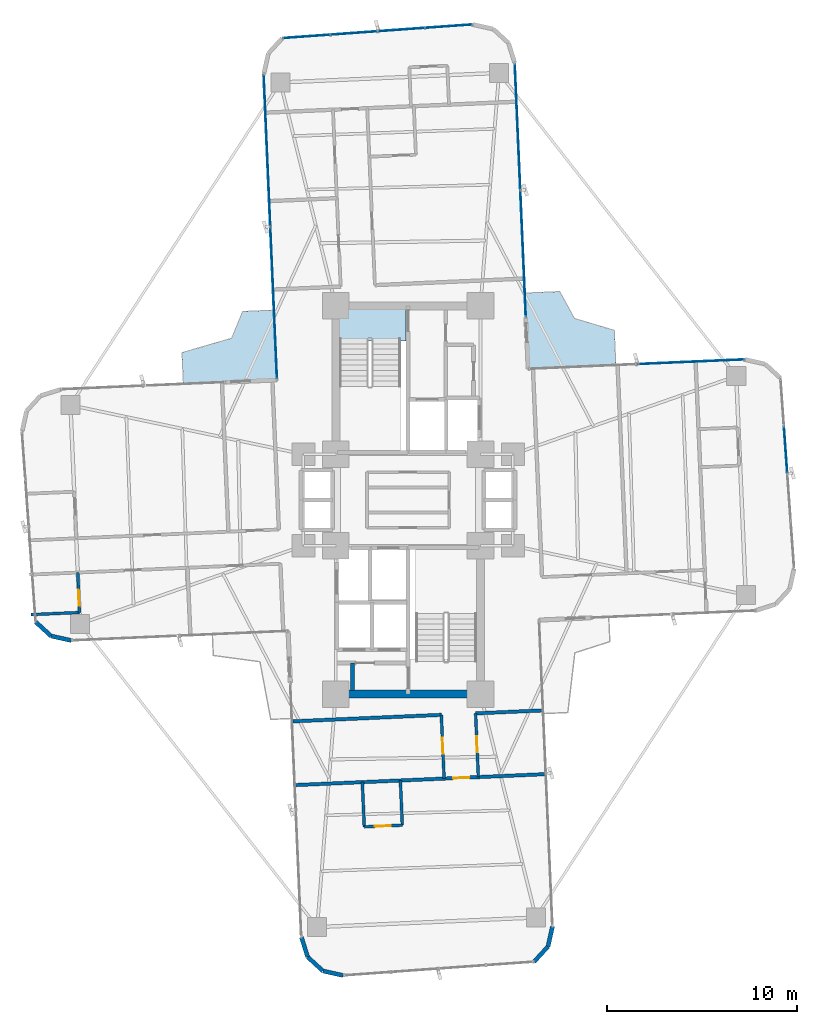
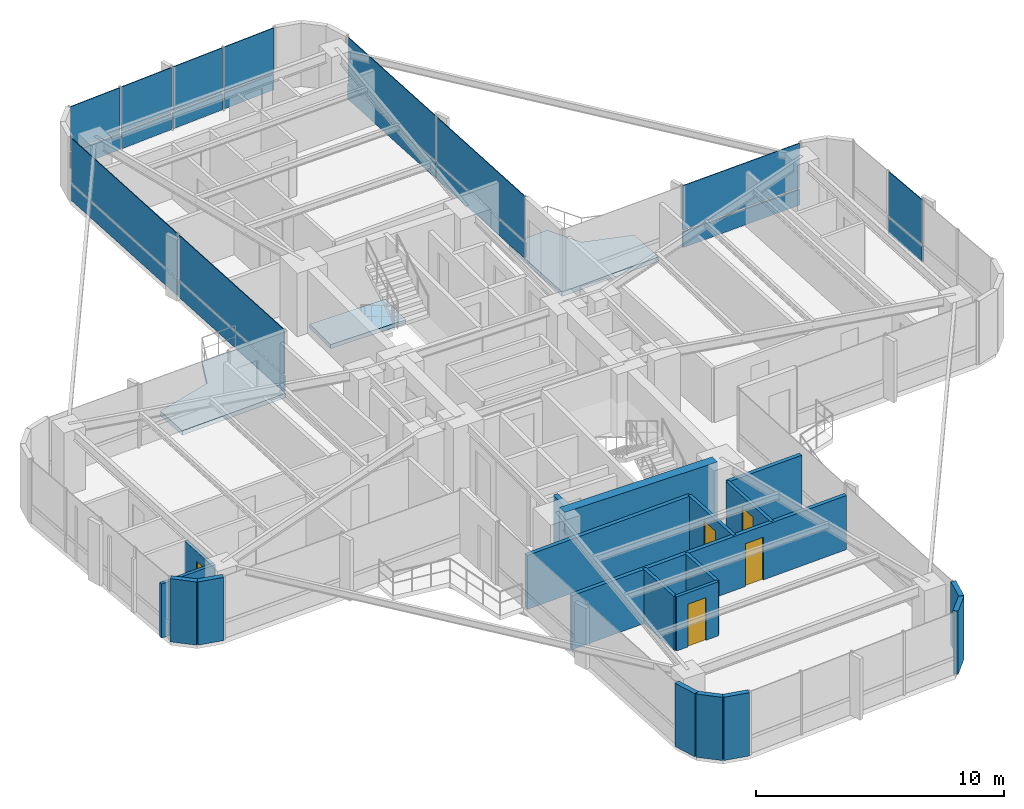
# One storey, part 22 of 26: 20 plates, 19 walls, 5 doors, 3 slabs, 5 openings, 5 elements without a shape of their own.
"""IFC4 building model written with IfcOpenShell, lengths in metres."""

from ifc_helpers import new_model, si_unit, direction, frame, frame_2d, origin, origin_2d, place, context, subcontext, project, spatial, polyline, rectangle, outline, extrude, source, transform, mapped, material, layer, layer_set, type_object, element, fill, aggregate, save


model = new_model("IFC4")

# Units and contexts
model_context = context("Model", 3, precision=1e-05, world=origin(), true_north=direction((0.0, 1.0)))
body_context = subcontext(model_context, "Body", "Model", "MODEL_VIEW")
ifc_project = project(units=[si_unit("LENGTHUNIT", "METRE"), si_unit("AREAUNIT", "SQUARE_METRE"), si_unit("VOLUMEUNIT", "CUBIC_METRE"), si_unit("PLANEANGLEUNIT", "RADIAN"), si_unit("MASSUNIT", "GRAM", prefix="KILO")], contexts=[model_context])

# Site, building, storey
site_placement = place(None, origin())
site = spatial("IfcSite", under=ifc_project, at=site_placement, CompositionType="ELEMENT")
building_placement = place(site_placement, origin())
building = spatial("IfcBuilding", under=site, at=building_placement, Name="Sahyath Konkavel Grand Hotel", CompositionType="ELEMENT")
storey_placement = place(building_placement, frame((0.0, 0.0, 124.85009765625)))
storey = spatial("IfcBuildingStorey", under=building, at=storey_placement, Name="L34", CompositionType="ELEMENT", Elevation=124.85009765625)

# Slabs
ifc_material_1 = material(Name="Concrete C40/50", Category="concrete")
ifc_layer_1 = layer(ifc_material_1, 0.219970703125)
ifc_layer_set_1 = layer_set([ifc_layer_1], Name="Concrete C40/50")
slab_type_1 = type_object("IfcSlabType", Name="SLB-BALCONY-220", PredefinedType="FLOOR", material=ifc_layer_set_1)
slab_1_placement = place(storey_placement, frame((0.0, 0.0, -0.22021484375)))
element("IfcSlab", 1, at=slab_1_placement, inside=storey, type_object=slab_type_1, Name="L34 Winter-Garden Balcony NE", PredefinedType="FLOOR", context=body_context, shape_type="SweptSolid", body=[
    extrude(outline(polyline([(6.305908203125, 6.881591796875), (10.909423828125, 7.08251953125), (10.82958984375, 8.91259765625), (8.736328125, 9.5341796875), (7.961669921875, 10.94970703125), (6.131591796875, 10.869873046875), (6.305908203125, 6.881591796875)])), origin(), (0.0, 0.0, 1.0), 0.22021484375),
])
slab_2_placement = place(storey_placement, frame((0.0, 0.0, -0.22021484375)))
element("IfcSlab", 2, at=slab_2_placement, inside=storey, type_object=slab_type_1, Name="L34 Winter-Garden Balcony NW", PredefinedType="FLOOR", context=body_context, shape_type="SweptSolid", body=[
    extrude(outline(polyline([(-6.881591796875, 6.305908203125), (-7.041748046875, 9.973388671875), (-8.6904296875, 9.9013671875), (-9.271484375, 8.49560546875), (-11.8779296875, 7.739501953125), (-11.805908203125, 6.0908203125), (-6.881591796875, 6.305908203125)])), origin(), (0.0, 0.0, 1.0), 0.22021484375),
])
ifc_layer_2 = layer(ifc_material_1, 0.199951171875)
ifc_layer_set_2 = layer_set([ifc_layer_2], Name="Concrete C40/50")
slab_type_2 = type_object("IfcSlabType", Name="SLB-STAIR-LND", PredefinedType="LANDING", material=ifc_layer_set_2)
slab_3_placement = place(storey_placement, frame((0.0, 0.0, -0.2001953125)))
element("IfcSlab", 3, at=slab_3_placement, inside=storey, type_object=slab_type_2, Name="L34 Stair ST-1 Floor Landing Slab", PredefinedType="LANDING", context=body_context, shape_type="SweptSolid", body=[
    extrude(outline(polyline([(-3.6201171875, 8.35009765625), (-0.10009765625, 8.35009765625), (-0.10009765625, 10.02001953125), (-3.6201171875, 10.02001953125), (-3.6201171875, 8.35009765625)])), origin(), (0.0, 0.0, 1.0), 0.2001953125),
])

# Curtain wall, plate
ifc_material_2 = material(Name="Anodised Bronze Aluminium & Low-E Glazing", Category="aluminium")
curtain_wall_type = type_object("IfcCurtainWallType", Name="CW-ZONE2", PredefinedType="NOTDEFINED", material=ifc_material_2)
curtain_wall_1_placement = place(storey_placement, origin())
curtain_wall_1 = element("IfcCurtainWall", 4, at=curtain_wall_1_placement, inside=storey, type_object=curtain_wall_type, Name="L34 Unitised Curtain Wall F4", PredefinedType="NOTDEFINED")
ifc_material_3 = material(Name="Warm Buff Sandstone Cladding", Category="masonry")
ifc_layer_3 = layer(ifc_material_3, 0.074951171875)
ifc_layer_set_3 = layer_set([ifc_layer_3], Name="Warm Buff Sandstone Cladding")
plate_type_1 = type_object("IfcPlateType", Name="PNL-SPANDREL-STONE", PredefinedType="SHEET", material=ifc_layer_set_3)
shared_shape_1 = source(origin(), body_context, "Body", "SweptSolid", [
    extrude(rectangle(XDim=2.41357421875, YDim=0.074951171875, at=origin_2d()), origin(), (0.0, 0.0, 1.0), 0.77001953125),
])
plate_1_placement = place(storey_placement, frame((19.828369140625, 2.638671875, 0.039794921875), z_axis=(0.0, 0.0, 1.0), x_axis=(-0.071567078661, 0.997435789037, 0.0)))
plate_1 = element("IfcPlate", 5, at=plate_1_placement, type_object=plate_type_1, Name="L34 Sandstone Relief Spandrel Panel F4-2", PredefinedType="SHEET", context=body_context, shape_type="MappedRepresentation", body=[
    mapped(shared_shape_1, transform((0.0, 0.0, 0.0), scale=1.0)),
])

# Curtain wall, plates
curtain_wall_2_placement = place(storey_placement, origin())
curtain_wall_2 = element("IfcCurtainWall", 6, at=curtain_wall_2_placement, inside=storey, type_object=curtain_wall_type, Name="L34 Unitised Curtain Wall F12", PredefinedType="NOTDEFINED")
plate_2_placement = place(storey_placement, frame((2.130615234375, 24.880615234375, 0.039794921875), z_axis=(0.0, 0.0, 1.0), x_axis=(-0.997435789037, -0.071567078661, 0.0)))
plate_2 = element("IfcPlate", 7, at=plate_2_placement, type_object=plate_type_1, Name="L34 Sandstone Relief Spandrel Panel F12-0", PredefinedType="SHEET", context=body_context, shape_type="MappedRepresentation", body=[
    mapped(shared_shape_1, transform((0.0, 0.0, 0.0), scale=1.0)),
])
plate_3_placement = place(storey_placement, frame((-0.356689453125, 24.7021484375, 0.039794921875), z_axis=(0.0, 0.0, 1.0), x_axis=(-0.997435789037, -0.071567078661, 0.0)))
plate_3 = element("IfcPlate", 8, at=plate_3_placement, type_object=plate_type_1, Name="L34 Sandstone Relief Spandrel Panel F12-1", PredefinedType="SHEET", context=body_context, shape_type="MappedRepresentation", body=[
    mapped(shared_shape_1, transform((0.0, 0.0, 0.0), scale=1.0)),
])
plate_4_placement = place(storey_placement, frame((-2.84375, 24.523681640625, 0.039794921875), z_axis=(0.0, 0.0, 1.0), x_axis=(-0.997435789037, -0.071567078661, 0.0)))
plate_4 = element("IfcPlate", 9, at=plate_4_placement, type_object=plate_type_1, Name="L34 Sandstone Relief Spandrel Panel F12-2", PredefinedType="SHEET", context=body_context, shape_type="MappedRepresentation", body=[
    mapped(shared_shape_1, transform((0.0, 0.0, 0.0), scale=1.0)),
])
plate_5_placement = place(storey_placement, frame((-5.330810546875, 24.34521484375, 0.039794921875), z_axis=(0.0, 0.0, 1.0), x_axis=(-0.997435789037, -0.071567078661, 0.0)))
plate_5 = element("IfcPlate", 10, at=plate_5_placement, type_object=plate_type_1, Name="L34 Sandstone Relief Spandrel Panel F12-3", PredefinedType="SHEET", context=body_context, shape_type="MappedRepresentation", body=[
    mapped(shared_shape_1, transform((0.0, 0.0, 0.0), scale=1.0)),
])

# Curtain wall, plate
curtain_wall_3_placement = place(storey_placement, origin())
curtain_wall_3 = element("IfcCurtainWall", 11, at=curtain_wall_3_placement, inside=storey, type_object=curtain_wall_type, Name="L34 Unitised Curtain Wall F7", PredefinedType="NOTDEFINED")
shared_shape_2 = source(origin(), body_context, "Body", "SweptSolid", [
    extrude(rectangle(XDim=5.580078125, YDim=0.074951171875, at=origin_2d()), origin(), (0.0, 0.0, 1.0), 0.77001953125),
])
plate_6_placement = place(storey_placement, frame((14.82763671875, 7.25390625, 0.039794921875), z_axis=(0.0, 0.0, 1.0), x_axis=(-0.999048221582, -0.043619387365, 0.0)))
plate_6 = element("IfcPlate", 12, at=plate_6_placement, type_object=plate_type_1, Name="L34 Sandstone Relief Spandrel Panel F7-0", PredefinedType="SHEET", context=body_context, shape_type="MappedRepresentation", body=[
    mapped(shared_shape_2, transform((0.0, 0.0, 0.0), scale=1.0)),
])

# Curtain wall, plates
curtain_wall_4_placement = place(storey_placement, origin())
curtain_wall_4 = element("IfcCurtainWall", 13, at=curtain_wall_4_placement, inside=storey, type_object=curtain_wall_type, Name="L34 Unitised Curtain Wall F8", PredefinedType="NOTDEFINED")
shared_shape_3 = source(origin(), body_context, "Body", "SweptSolid", [
    extrude(rectangle(XDim=6.580078125, YDim=0.074951171875, at=origin_2d()), origin(), (0.0, 0.0, 1.0), 0.77001953125),
])
plate_7_placement = place(storey_placement, frame((6.041015625, 12.94580078125, 0.039794921875), z_axis=(0.0, 0.0, 1.0), x_axis=(-0.043619387365, 0.999048221582, 0.0)))
plate_7 = element("IfcPlate", 14, at=plate_7_placement, type_object=plate_type_1, Name="L34 Sandstone Relief Spandrel Panel F8-0", PredefinedType="SHEET", context=body_context, shape_type="MappedRepresentation", body=[
    mapped(shared_shape_3, transform((0.0, 0.0, 0.0), scale=1.0)),
])
plate_8_placement = place(storey_placement, frame((5.75048828125, 19.599609375, 0.039794921875), z_axis=(0.0, 0.0, 1.0), x_axis=(-0.043619387365, 0.999048221582, 0.0)))
plate_8 = element("IfcPlate", 15, at=plate_8_placement, type_object=plate_type_1, Name="L34 Sandstone Relief Spandrel Panel F8-1", PredefinedType="SHEET", context=body_context, shape_type="MappedRepresentation", body=[
    mapped(shared_shape_3, transform((0.0, 0.0, 0.0), scale=1.0)),
])

curtain_wall_5_placement = place(storey_placement, origin())
curtain_wall_5 = element("IfcCurtainWall", 16, at=curtain_wall_5_placement, inside=storey, type_object=curtain_wall_type, Name="L34 Unitised Curtain Wall F15", PredefinedType="NOTDEFINED")
shared_shape_4 = source(origin(), body_context, "Body", "SweptSolid", [
    extrude(rectangle(XDim=7.929931640625, YDim=0.074951171875, at=origin_2d()), origin(), (0.0, 0.0, 1.0), 0.77001953125),
])
plate_9_placement = place(storey_placement, frame((-7.407470703125, 18.349365234375, 0.039794921875), z_axis=(0.0, 0.0, 1.0), x_axis=(0.043619387365, -0.999048221582, 0.0)))
plate_9 = element("IfcPlate", 17, at=plate_9_placement, type_object=plate_type_1, Name="L34 Sandstone Relief Spandrel Panel F15-0", PredefinedType="SHEET", context=body_context, shape_type="MappedRepresentation", body=[
    mapped(shared_shape_4, transform((0.0, 0.0, 0.0), scale=1.0)),
])
plate_10_placement = place(storey_placement, frame((-7.05810546875, 10.346923828125, 0.039794921875), z_axis=(0.0, 0.0, 1.0), x_axis=(0.043619387365, -0.999048221582, 0.0)))
plate_10 = element("IfcPlate", 18, at=plate_10_placement, type_object=plate_type_1, Name="L34 Sandstone Relief Spandrel Panel F15-1", PredefinedType="SHEET", context=body_context, shape_type="MappedRepresentation", body=[
    mapped(shared_shape_4, transform((0.0, 0.0, 0.0), scale=1.0)),
])

# Plate
ifc_material_4 = material(Name="Low-E Solar Control Double Glazing", Category="glass")
ifc_layer_4 = layer(ifc_material_4, 0.035888671875)
ifc_layer_set_4 = layer_set([ifc_layer_4], Name="Low-E Solar Control Double Glazing")
plate_type_2 = type_object("IfcPlateType", Name="PNL-VISION-LOWE", PredefinedType="CURTAIN_PANEL", material=ifc_layer_set_4)
shared_shape_5 = source(origin(), body_context, "Body", "SweptSolid", [
    extrude(rectangle(XDim=2.41357421875, YDim=0.035888671875, at=origin_2d()), origin(), (0.0, 0.0, 1.0), 2.179931640625),
])
plate_11_placement = place(storey_placement, frame((19.828369140625, 2.638671875, 0.89013671875), z_axis=(0.0, 0.0, 1.0), x_axis=(-0.071567078661, 0.997435789037, 0.0)))
plate_11 = element("IfcPlate", 19, at=plate_11_placement, type_object=plate_type_2, Name="L34 Low-E Vision Glazing Panel F4-2", PredefinedType="CURTAIN_PANEL", context=body_context, shape_type="MappedRepresentation", body=[
    mapped(shared_shape_5, transform((0.0, 0.0, 0.0), scale=1.0)),
])

aggregate(curtain_wall_1, [plate_1, plate_11])

plate_12_placement = place(storey_placement, frame((2.130615234375, 24.880615234375, 0.89013671875), z_axis=(0.0, 0.0, 1.0), x_axis=(-0.997435789037, -0.071567078661, 0.0)))
plate_12 = element("IfcPlate", 20, at=plate_12_placement, type_object=plate_type_2, Name="L34 Low-E Vision Glazing Panel F12-0", PredefinedType="CURTAIN_PANEL", context=body_context, shape_type="MappedRepresentation", body=[
    mapped(shared_shape_5, transform((0.0, 0.0, 0.0), scale=1.0)),
])

plate_13_placement = place(storey_placement, frame((-0.356689453125, 24.7021484375, 0.89013671875), z_axis=(0.0, 0.0, 1.0), x_axis=(-0.997435789037, -0.071567078661, 0.0)))
plate_13 = element("IfcPlate", 21, at=plate_13_placement, type_object=plate_type_2, Name="L34 Low-E Vision Glazing Panel F12-1", PredefinedType="CURTAIN_PANEL", context=body_context, shape_type="MappedRepresentation", body=[
    mapped(shared_shape_5, transform((0.0, 0.0, 0.0), scale=1.0)),
])

plate_14_placement = place(storey_placement, frame((-2.84375, 24.523681640625, 0.89013671875), z_axis=(0.0, 0.0, 1.0), x_axis=(-0.997435789037, -0.071567078661, 0.0)))
plate_14 = element("IfcPlate", 22, at=plate_14_placement, type_object=plate_type_2, Name="L34 Low-E Vision Glazing Panel F12-2", PredefinedType="CURTAIN_PANEL", context=body_context, shape_type="MappedRepresentation", body=[
    mapped(shared_shape_5, transform((0.0, 0.0, 0.0), scale=1.0)),
])

plate_15_placement = place(storey_placement, frame((-5.330810546875, 24.34521484375, 0.89013671875), z_axis=(0.0, 0.0, 1.0), x_axis=(-0.997435789037, -0.071567078661, 0.0)))
plate_15 = element("IfcPlate", 23, at=plate_15_placement, type_object=plate_type_2, Name="L34 Low-E Vision Glazing Panel F12-3", PredefinedType="CURTAIN_PANEL", context=body_context, shape_type="MappedRepresentation", body=[
    mapped(shared_shape_5, transform((0.0, 0.0, 0.0), scale=1.0)),
])

aggregate(curtain_wall_2, [plate_2, plate_12, plate_3, plate_13, plate_4, plate_14, plate_5, plate_15])

shared_shape_6 = source(origin(), body_context, "Body", "SweptSolid", [
    extrude(rectangle(XDim=5.580078125, YDim=0.035888671875, at=origin_2d()), origin(), (0.0, 0.0, 1.0), 2.179931640625),
])
plate_16_placement = place(storey_placement, frame((14.82763671875, 7.25390625, 0.89013671875), z_axis=(0.0, 0.0, 1.0), x_axis=(-0.999048221582, -0.043619387365, 0.0)))
plate_16 = element("IfcPlate", 24, at=plate_16_placement, type_object=plate_type_2, Name="L34 Low-E Vision Glazing Panel F7-0", PredefinedType="CURTAIN_PANEL", context=body_context, shape_type="MappedRepresentation", body=[
    mapped(shared_shape_6, transform((0.0, 0.0, 0.0), scale=1.0)),
])

aggregate(curtain_wall_3, [plate_6, plate_16])

shared_shape_7 = source(origin(), body_context, "Body", "SweptSolid", [
    extrude(rectangle(XDim=6.580078125, YDim=0.035888671875, at=origin_2d()), origin(), (0.0, 0.0, 1.0), 2.179931640625),
])
plate_17_placement = place(storey_placement, frame((6.041015625, 12.94580078125, 0.89013671875), z_axis=(0.0, 0.0, 1.0), x_axis=(-0.043619387365, 0.999048221582, 0.0)))
plate_17 = element("IfcPlate", 25, at=plate_17_placement, type_object=plate_type_2, Name="L34 Low-E Vision Glazing Panel F8-0", PredefinedType="CURTAIN_PANEL", context=body_context, shape_type="MappedRepresentation", body=[
    mapped(shared_shape_7, transform((0.0, 0.0, 0.0), scale=1.0)),
])

plate_18_placement = place(storey_placement, frame((5.75048828125, 19.599609375, 0.89013671875), z_axis=(0.0, 0.0, 1.0), x_axis=(-0.043619387365, 0.999048221582, 0.0)))
plate_18 = element("IfcPlate", 26, at=plate_18_placement, type_object=plate_type_2, Name="L34 Low-E Vision Glazing Panel F8-1", PredefinedType="CURTAIN_PANEL", context=body_context, shape_type="MappedRepresentation", body=[
    mapped(shared_shape_7, transform((0.0, 0.0, 0.0), scale=1.0)),
])

aggregate(curtain_wall_4, [plate_7, plate_17, plate_8, plate_18])

shared_shape_8 = source(origin(), body_context, "Body", "SweptSolid", [
    extrude(rectangle(XDim=7.929931640625, YDim=0.035888671875, at=origin_2d()), origin(), (0.0, 0.0, 1.0), 2.179931640625),
])
plate_19_placement = place(storey_placement, frame((-7.407470703125, 18.349365234375, 0.89013671875), z_axis=(0.0, 0.0, 1.0), x_axis=(0.043619387365, -0.999048221582, 0.0)))
plate_19 = element("IfcPlate", 27, at=plate_19_placement, type_object=plate_type_2, Name="L34 Low-E Vision Glazing Panel F15-0", PredefinedType="CURTAIN_PANEL", context=body_context, shape_type="MappedRepresentation", body=[
    mapped(shared_shape_8, transform((0.0, 0.0, 0.0), scale=1.0)),
])

plate_20_placement = place(storey_placement, frame((-7.05810546875, 10.346923828125, 0.89013671875), z_axis=(0.0, 0.0, 1.0), x_axis=(0.043619387365, -0.999048221582, 0.0)))
plate_20 = element("IfcPlate", 28, at=plate_20_placement, type_object=plate_type_2, Name="L34 Low-E Vision Glazing Panel F15-1", PredefinedType="CURTAIN_PANEL", context=body_context, shape_type="MappedRepresentation", body=[
    mapped(shared_shape_8, transform((0.0, 0.0, 0.0), scale=1.0)),
])

aggregate(curtain_wall_5, [plate_9, plate_19, plate_10, plate_20])

# Walls
ifc_material_5 = material(Name="Concrete C50/60", Category="concrete")
ifc_layer_5 = layer(ifc_material_5, 0.419921875)
ifc_layer_set_5 = layer_set([ifc_layer_5], Name="Concrete C50/60")
wall_type_1 = type_object("IfcWallType", Name="CWALL-420", PredefinedType="SHEAR", material=ifc_layer_set_5)
wall_1_placement = place(storey_placement, frame((-3.550048828125, -10.199951171875, 0.0), z_axis=(0.0, 0.0, 1.0), x_axis=(1.0, 0.0, 0.0)))
element("IfcWall", 29, at=wall_1_placement, inside=storey, type_object=wall_type_1, Name="L34 South Core Shear Wall S", PredefinedType="SHEAR", context=body_context, shape_type="SweptSolid", body=[
    extrude(rectangle(XDim=7.10009765625, YDim=0.419921875, at=frame_2d((3.550048828125, 0.0))), origin(), (0.0, 0.0, 1.0), 3.10986328125),
])
ifc_material_6 = material(Name="Warm Buff Sandstone Insulated Concrete C40/50", Category="masonry")
ifc_layer_6 = layer(ifc_material_6, 0.219970703125)
ifc_layer_set_6 = layer_set([ifc_layer_6], Name="Warm Buff Sandstone Insulated Concrete C40/50")
wall_type_2 = type_object("IfcWallType", Name="WLL-BALC-THRESH", PredefinedType="STANDARD", material=ifc_layer_set_6)
wall_2_placement = place(storey_placement, frame((-19.5576171875, -6.4091796875, 0.0), z_axis=(0.0, 0.0, 1.0), x_axis=(0.737210081318, -0.675663596772, 0.0)))
element("IfcWall", 30, at=wall_2_placement, inside=storey, type_object=wall_type_2, Name="L34 Rounded Corner Sandstone Pier 21", PredefinedType="STANDARD", context=body_context, shape_type="SweptSolid", body=[
    extrude(rectangle(XDim=1.0869140625, YDim=0.219970703125, at=frame_2d((0.54345703125, 0.0))), origin(), (0.0, 0.0, 1.0), 3.10986328125),
])
wall_3_placement = place(storey_placement, frame((-18.75634765625, -7.1435546875, 0.0), z_axis=(0.0, 0.0, 1.0), x_axis=(0.976282085775, -0.216502399514, 0.0)))
element("IfcWall", 31, at=wall_3_placement, inside=storey, type_object=wall_type_2, Name="L34 Rounded Corner Sandstone Pier 22", PredefinedType="STANDARD", context=body_context, shape_type="SweptSolid", body=[
    extrude(rectangle(XDim=1.087158203125, YDim=0.219970703125, at=frame_2d((0.54345703125, 0.0))), origin(), (0.0, 0.0, 1.0), 3.10986328125),
])
wall_4_placement = place(storey_placement, frame((-5.603515625, -22.96630859375, 0.0), z_axis=(0.0, 0.0, 1.0), x_axis=(0.300755105707, -0.953701403161, 0.0)))
element("IfcWall", 32, at=wall_4_placement, inside=storey, type_object=wall_type_2, Name="L34 Rounded Corner Sandstone Pier 25", PredefinedType="STANDARD", context=body_context, shape_type="SweptSolid", body=[
    extrude(rectangle(XDim=1.0869140625, YDim=0.219970703125, at=frame_2d((0.54345703125, 0.0))), origin(), (0.0, 0.0, 1.0), 3.10986328125),
])
wall_5_placement = place(storey_placement, frame((-5.276611328125, -24.0029296875, 0.0), z_axis=(0.0, 0.0, 1.0), x_axis=(0.737312600672, -0.675551721847, 0.0)))
element("IfcWall", 33, at=wall_5_placement, inside=storey, type_object=wall_type_2, Name="L34 Rounded Corner Sandstone Pier 26", PredefinedType="STANDARD", context=body_context, shape_type="SweptSolid", body=[
    extrude(rectangle(XDim=1.087158203125, YDim=0.219970703125, at=frame_2d((0.54345703125, 0.0))), origin(), (0.0, 0.0, 1.0), 3.10986328125),
])
for number, where, z_axis, x_axis, name in (
    (34, (-4.47509765625, -24.7373046875, 0.0), (0.0, 0.0, 1.0), (0.976271555154, -0.216549880158, 0.0), "L34 Rounded Corner Sandstone Pier 27"),
    (35, (6.6142578125, -24.253173828125, 0.0), (0.0, 0.0, 1.0), (0.675663596772, 0.737210081318, 0.0), "L34 Rounded Corner Sandstone Pier 29"),
):
    element("IfcWall", number, at=place(storey_placement, frame(where, z_axis=z_axis, x_axis=x_axis)), inside=storey, type_object=wall_type_2, Name=name, PredefinedType="STANDARD", context=body_context, shape_type="SweptSolid", body=[
        extrude(rectangle(XDim=1.0869140625, YDim=0.219970703125, at=frame_2d((0.54345703125, 0.0))), origin(), (0.0, 0.0, 1.0), 3.10986328125),
    ])
wall_6_placement = place(storey_placement, frame((7.3486328125, -23.451904296875, 0.0), z_axis=(0.0, 0.0, 1.0), x_axis=(0.216454939174, 0.976292609471, 0.0)))
element("IfcWall", 36, at=wall_6_placement, inside=storey, type_object=wall_type_2, Name="L34 Rounded Corner Sandstone Pier 30", PredefinedType="STANDARD", context=body_context, shape_type="SweptSolid", body=[
    extrude(rectangle(XDim=1.08740234375, YDim=0.219970703125, at=frame_2d((0.543701171875, 0.0))), origin(), (0.0, 0.0, 1.0), 3.10986328125),
])
ifc_layer_7 = layer(ifc_material_1, 0.199951171875)
ifc_layer_set_7 = layer_set([ifc_layer_7], Name="Concrete C40/50")
wall_type_3 = type_object("IfcWallType", Name="WLL-CORE-200", PredefinedType="SOLIDWALL", material=ifc_layer_set_7)
wall_7_placement = place(storey_placement, frame((-2.919921875, -10.0, 0.0), z_axis=(0.0, 0.0, 1.0), x_axis=(0.0, 1.0, 0.0)))
element("IfcWall", 37, at=wall_7_placement, inside=storey, type_object=wall_type_3, Name="L34 Partition SFF-W2", PredefinedType="SOLIDWALL", context=body_context, shape_type="SweptSolid", body=[
    extrude(rectangle(XDim=1.43994140625, YDim=0.199951171875, at=frame_2d((0.719970703125, 0.0))), origin(), (0.0, 0.0, 1.0), 2.659912109375),
])
ifc_material_7 = material(Name="Twin-Stud Acoustic Gypsum Plasterboard Partition")
ifc_layer_8 = layer(ifc_material_7, 0.179931640625)
ifc_layer_set_8 = layer_set([ifc_layer_8], Name="Twin-Stud Acoustic Gypsum Plasterboard Partition")
wall_type_4 = type_object("IfcWallType", Name="WLL-DEMISE-180", PredefinedType="PARTITIONING", material=ifc_layer_set_8)
wall_8_placement = place(storey_placement, frame((3.542236328125, -11.206298828125, 0.0), z_axis=(0.0, 0.0, 1.0), x_axis=(0.999046129111, 0.04366728647, 0.0)))
element("IfcWall", 38, at=wall_8_placement, inside=storey, type_object=wall_type_4, Name="L34 Partition S-INL", PredefinedType="PARTITIONING", context=body_context, shape_type="SweptSolid", body=[
    extrude(rectangle(XDim=3.5, YDim=0.179931640625, at=frame_2d((1.75, 0.0))), origin(), (0.0, 0.0, 1.0), 2.659912109375),
])
wall_9_placement = place(storey_placement, frame((-6.048583984375, -11.625, 0.0), z_axis=(0.0, 0.0, 1.0), x_axis=(0.999047634936, 0.043632821702, 0.0)))
element("IfcWall", 39, at=wall_9_placement, inside=storey, type_object=wall_type_4, Name="L34 Partition S-INR", PredefinedType="PARTITIONING", context=body_context, shape_type="SweptSolid", body=[
    extrude(rectangle(XDim=7.7998046875, YDim=0.179931640625, at=frame_2d((3.89990234375, 0.0))), origin(), (0.0, 0.0, 1.0), 2.659912109375),
])

# Wall, opening, door
wall_10_placement = place(storey_placement, frame((-5.902587890625, -14.9716796875, 0.0), z_axis=(0.0, 0.0, 1.0), x_axis=(0.999048653727, 0.043609488494, 0.0)))
wall_10 = element("IfcWall", 40, at=wall_10_placement, inside=storey, type_object=wall_type_4, Name="L34 Partition S-STIP-END", PredefinedType="PARTITIONING", context=body_context, shape_type="SweptSolid", body=[
    extrude(rectangle(XDim=13.10009765625, YDim=0.179931640625, at=frame_2d((6.550048828125, 0.0))), origin(), (0.0, 0.0, 1.0), 2.659912109375),
])
opening_1_placement = place(wall_10_placement, frame((8.27490234375, 0.0, 0.0)))
opening_1 = element("IfcOpeningElement", 41, at=opening_1_placement, cuts=wall_10, Name="Opening D-F06D", PredefinedType="OPENING", context=body_context, shape_type="SweptSolid", body=[
    extrude(rectangle(XDim=0.85009765625, YDim=2.10009765625, at=frame_2d((0.425048828125, 1.050048828125))), frame((0.0, 0.10009765625, 0.0), z_axis=(0.0, -1.0, 0.0), x_axis=(1.0, 0.0, 0.0)), (0.0, 0.0, 1.0), 0.199951171875),
])
ifc_material_8 = material(Name="Fire-Rated Shaft Access Door")
door_type_1 = type_object("IfcDoorType", Name="DR-FD60-850", OperationType="NOTDEFINED", PredefinedType="DOOR", material=ifc_material_8)
shared_shape_9 = source(origin(), body_context, "Body", "SweptSolid", [
    extrude(rectangle(XDim=0.85009765625, YDim=0.050048828125, at=origin_2d()), origin(), (0.0, 0.0, 1.0), 2.10009765625),
])
door_1_placement = place(opening_1_placement, frame((0.425048828125, 0.0, 0.0)))
door_1 = element("IfcDoor", 42, at=door_1_placement, inside=storey, type_object=door_type_1, Name="L34 Door S-STIP-ED", OperationType="SINGLE_SWING_RIGHT", OverallHeight=2.10009765625, OverallWidth=0.85009765625, PredefinedType="DOOR", context=body_context, shape_type="MappedRepresentation", body=[
    mapped(shared_shape_9, transform((0.0, 0.0, 0.0), scale=1.0)),
])
fill(opening_1, door_1)

ifc_material_9 = material(Name="Fire-Rated Gypsum Plasterboard Partition")
ifc_layer_9 = layer(ifc_material_9, 0.14990234375)
ifc_layer_set_9 = layer_set([ifc_layer_9], Name="Fire-Rated Gypsum Plasterboard Partition")
wall_type_5 = type_object("IfcWallType", Name="WLL-PART-150", PredefinedType="PARTITIONING", material=ifc_layer_set_9)
wall_11_placement = place(storey_placement, frame((-17.350341796875, -3.810302734375, 0.0), z_axis=(0.0, 0.0, 1.0), x_axis=(0.043593612401, -0.999049346608, 0.0)))
wall_11 = element("IfcWall", 43, at=wall_11_placement, inside=storey, type_object=wall_type_5, Name="L34 Partition W-W2L-BS", PredefinedType="PARTITIONING", context=body_context, shape_type="SweptSolid", body=[
    extrude(rectangle(XDim=2.10009765625, YDim=0.14990234375, at=frame_2d((1.050048828125, 0.0))), origin(), (0.0, 0.0, 1.0), 2.579833984375),
])
opening_2_placement = place(wall_11_placement, frame((0.89990234375, 0.0, 0.0)))
opening_2 = element("IfcOpeningElement", 44, at=opening_2_placement, cuts=wall_11, Name="Opening D-BT85", PredefinedType="OPENING", context=body_context, shape_type="SweptSolid", body=[
    extrude(rectangle(XDim=0.85009765625, YDim=2.10009765625, at=frame_2d((0.425048828125, 1.050048828125))), frame((0.0, 0.0849609375, 0.0), z_axis=(0.0, -1.0, 0.0), x_axis=(1.0, 0.0, 0.0)), (0.0, 0.0, 1.0), 0.169921875),
])
ifc_material_10 = material(Name="Moisture-Resistant Teak Bathroom Door")
door_type_2 = type_object("IfcDoorType", Name="DR-BATH-850", OperationType="NOTDEFINED", PredefinedType="DOOR", material=ifc_material_10)
door_2_placement = place(opening_2_placement, frame((0.425048828125, 0.0, 0.0)))
door_2 = element("IfcDoor", 45, at=door_2_placement, inside=storey, type_object=door_type_2, Name="L34 Door W-W2L-BD", OperationType="SINGLE_SWING_RIGHT", OverallHeight=2.10009765625, OverallWidth=0.85009765625, PredefinedType="DOOR", context=body_context, shape_type="MappedRepresentation", body=[
    mapped(shared_shape_9, transform((0.0, 0.0, 0.0), scale=1.0)),
])
fill(opening_2, door_2)

# Wall
wall_12_placement = place(storey_placement, frame((-17.2587890625, -5.908447265625, 0.0), z_axis=(0.0, 0.0, 1.0), x_axis=(-0.999046560091, -0.043657425146, 0.0)))
element("IfcWall", 46, at=wall_12_placement, inside=storey, type_object=wall_type_5, Name="L34 Partition W-W2L-BF", PredefinedType="PARTITIONING", context=body_context, shape_type="SweptSolid", body=[
    extrude(rectangle(XDim=2.550048828125, YDim=0.14990234375, at=frame_2d((1.27490234375, 0.0))), origin(), (0.0, 0.0, 1.0), 2.659912109375),
])

# Wall, opening, door
wall_13_placement = place(storey_placement, frame((3.542236328125, -11.206298828125, 0.0), z_axis=(0.0, 0.0, 1.0), x_axis=(0.043582710367, -0.99904982226, 0.0)))
wall_13 = element("IfcWall", 47, at=wall_13_placement, inside=storey, type_object=wall_type_5, Name="L34 Partition S-CL", PredefinedType="PARTITIONING", context=body_context, shape_type="SweptSolid", body=[
    extrude(rectangle(XDim=3.349853515625, YDim=0.14990234375, at=frame_2d((1.6748046875, 0.0))), origin(), (0.0, 0.0, 1.0), 2.659912109375),
])
opening_3_placement = place(wall_13_placement, frame((1.199951171875, 0.0, 0.0)))
opening_3 = element("IfcOpeningElement", 48, at=opening_3_placement, cuts=wall_13, Name="Opening D-F06D", PredefinedType="OPENING", context=body_context, shape_type="SweptSolid", body=[
    extrude(rectangle(XDim=0.85009765625, YDim=2.10009765625, at=frame_2d((0.425048828125, 1.050048828125))), frame((0.0, 0.0849609375, 0.0), z_axis=(0.0, -1.0, 0.0), x_axis=(1.0, 0.0, 0.0)), (0.0, 0.0, 1.0), 0.169921875),
])
door_3_placement = place(opening_3_placement, frame((0.425048828125, 0.0, 0.0)))
door_3 = element("IfcDoor", 49, at=door_3_placement, inside=storey, type_object=door_type_1, Name="L34 Door S-SS3L-D", OperationType="SINGLE_SWING_LEFT", OverallHeight=2.10009765625, OverallWidth=0.85009765625, PredefinedType="DOOR", context=body_context, shape_type="MappedRepresentation", body=[
    mapped(shared_shape_9, transform((0.0, 0.0, 0.0), scale=1.0)),
])
fill(opening_3, door_3)

wall_14_placement = place(storey_placement, frame((1.743896484375, -11.28466796875, 0.0), z_axis=(0.0, 0.0, 1.0), x_axis=(0.043579537274, -0.999049960678, 0.0)))
wall_14 = element("IfcWall", 50, at=wall_14_placement, inside=storey, type_object=wall_type_5, Name="L34 Partition S-CR", PredefinedType="PARTITIONING", context=body_context, shape_type="SweptSolid", body=[
    extrude(rectangle(XDim=3.35009765625, YDim=0.14990234375, at=frame_2d((1.675048828125, 0.0))), origin(), (0.0, 0.0, 1.0), 2.659912109375),
])
opening_4_placement = place(wall_14_placement, frame((1.199951171875, 0.0, 0.0)))
opening_4 = element("IfcOpeningElement", 51, at=opening_4_placement, cuts=wall_14, Name="Opening D-F06D", PredefinedType="OPENING", context=body_context, shape_type="SweptSolid", body=[
    extrude(rectangle(XDim=0.85009765625, YDim=2.10009765625, at=frame_2d((0.425048828125, 1.050048828125))), frame((0.0, 0.0849609375, 0.0), z_axis=(0.0, -1.0, 0.0), x_axis=(1.0, 0.0, 0.0)), (0.0, 0.0, 1.0), 0.169921875),
])
door_4_placement = place(opening_4_placement, frame((0.425048828125, 0.0, 0.0)))
door_4 = element("IfcDoor", 52, at=door_4_placement, inside=storey, type_object=door_type_1, Name="L34 Door S-SS3R-D", OperationType="SINGLE_SWING_RIGHT", OverallHeight=2.10009765625, OverallWidth=0.85009765625, PredefinedType="DOOR", context=body_context, shape_type="MappedRepresentation", body=[
    mapped(shared_shape_9, transform((0.0, 0.0, 0.0), scale=1.0)),
])
fill(opening_4, door_4)

# Walls
wall_15_placement = place(storey_placement, frame((-0.40771484375, -14.731689453125, 0.0), z_axis=(0.0, 0.0, 1.0), x_axis=(0.043527387554, -0.999052234136, 0.0)))
element("IfcWall", 53, at=wall_15_placement, inside=storey, type_object=wall_type_5, Name="L34 Partition S-STIP-BN", PredefinedType="PARTITIONING", context=body_context, shape_type="SweptSolid", body=[
    extrude(rectangle(XDim=2.35009765625, YDim=0.14990234375, at=frame_2d((1.175048828125, 0.0))), origin(), (0.0, 0.0, 1.0), 2.659912109375),
])
wall_16_placement = place(storey_placement, frame((-2.406005859375, -14.819091796875, 0.0), z_axis=(0.0, 0.0, 1.0), x_axis=(0.04363560271, -0.999047513473, 0.0)))
element("IfcWall", 54, at=wall_16_placement, inside=storey, type_object=wall_type_5, Name="L34 Partition S-STIP-BS", PredefinedType="PARTITIONING", context=body_context, shape_type="SweptSolid", body=[
    extrude(rectangle(XDim=2.349853515625, YDim=0.14990234375, at=frame_2d((1.1748046875, 0.0))), origin(), (0.0, 0.0, 1.0), 2.659912109375),
])

# Wall, opening, door
wall_17_placement = place(storey_placement, frame((-2.303466796875, -17.166748046875, 0.0), z_axis=(0.0, 0.0, 1.0), x_axis=(0.999049929275, 0.043580257179, 0.0)))
wall_17 = element("IfcWall", 55, at=wall_17_placement, inside=storey, type_object=wall_type_5, Name="L34 Partition S-STIP-BE", PredefinedType="PARTITIONING", context=body_context, shape_type="SweptSolid", body=[
    extrude(rectangle(XDim=2.0, YDim=0.14990234375, at=frame_2d((1.0, 0.0))), origin(), (0.0, 0.0, 1.0), 2.659912109375),
])
opening_5_placement = place(wall_17_placement, frame((0.550048828125, 0.0, 0.0)))
opening_5 = element("IfcOpeningElement", 56, at=opening_5_placement, cuts=wall_17, Name="Opening D-BT85", PredefinedType="OPENING", context=body_context, shape_type="SweptSolid", body=[
    extrude(rectangle(XDim=0.85009765625, YDim=2.10009765625, at=frame_2d((0.425048828125, 1.050048828125))), frame((0.0, 0.0849609375, 0.0), z_axis=(0.0, -1.0, 0.0), x_axis=(1.0, 0.0, 0.0)), (0.0, 0.0, 1.0), 0.169921875),
])
door_5_placement = place(opening_5_placement, frame((0.425048828125, 0.0, 0.0)))
door_5 = element("IfcDoor", 57, at=door_5_placement, inside=storey, type_object=door_type_2, Name="L34 Door S-STIP-BD", OperationType="SINGLE_SWING_LEFT", OverallHeight=2.10009765625, OverallWidth=0.85009765625, PredefinedType="DOOR", context=body_context, shape_type="MappedRepresentation", body=[
    mapped(shared_shape_9, transform((0.0, 0.0, 0.0), scale=1.0)),
])
fill(opening_5, door_5)

save(model, "model.ifc")
